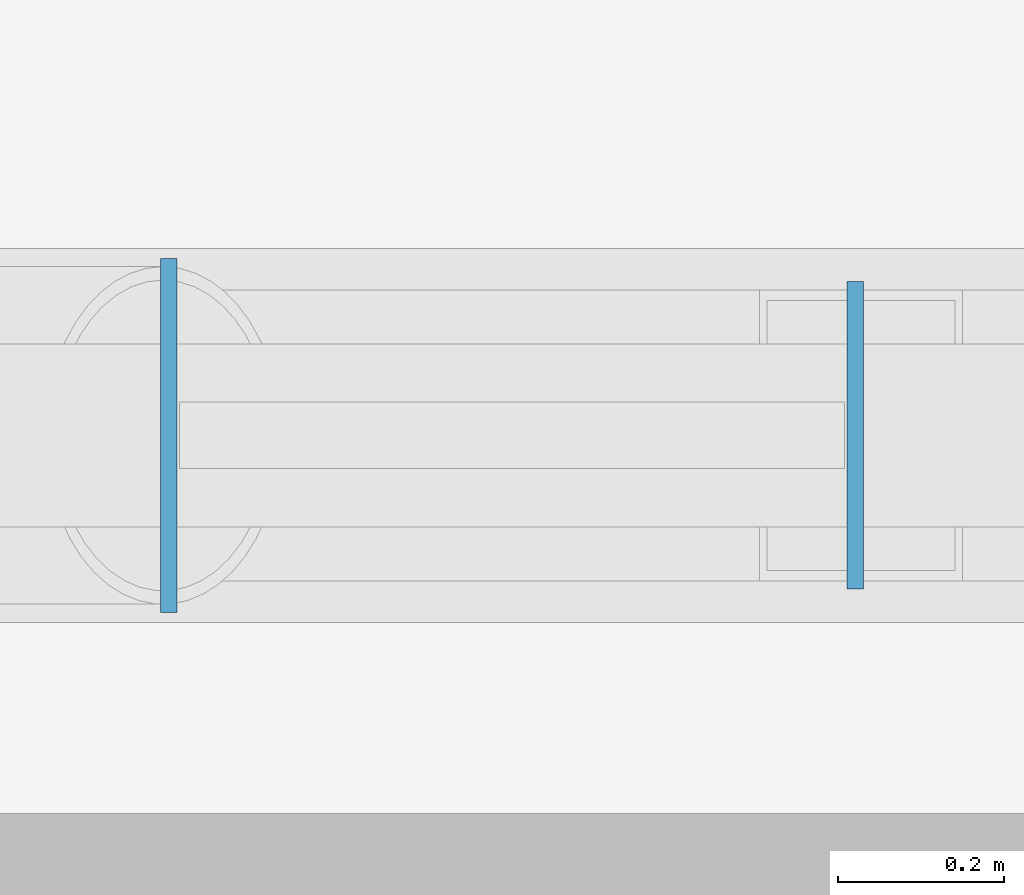
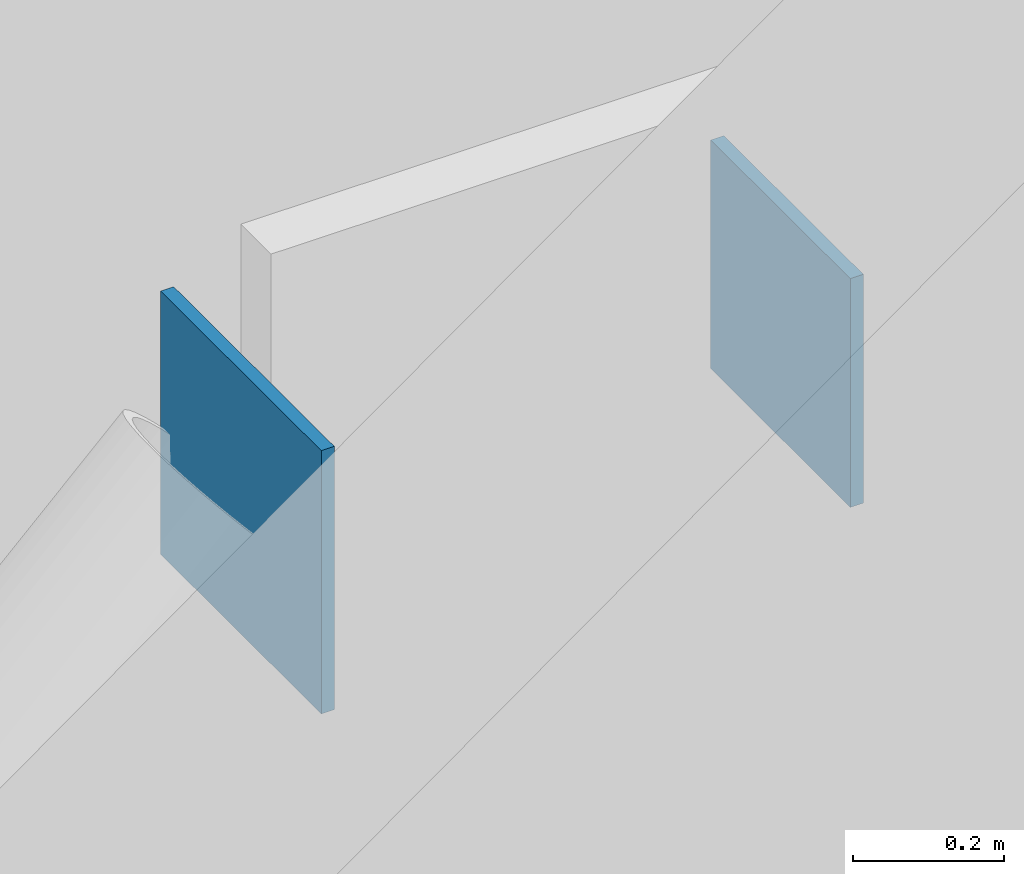
# One storey, part 4 of 12: 2 plates.
"""IFC4 building model written with IfcOpenShell, lengths in metres."""

from ifc_helpers import new_model, si_unit, direction, frame, origin, origin_2d, place, context, subcontext, project, spatial, rectangle, extrude, material, layer, layer_set, type_object, element, save


model = new_model("IFC4")

# Units and contexts
model_context = context("Model", 3, precision=1e-05, world=origin(), true_north=direction((0.0, 1.0)))
body_context = subcontext(model_context, "Body", "Model", "MODEL_VIEW")
ifc_project = project(units=[si_unit("LENGTHUNIT", "METRE"), si_unit("AREAUNIT", "SQUARE_METRE"), si_unit("VOLUMEUNIT", "CUBIC_METRE"), si_unit("PLANEANGLEUNIT", "RADIAN"), si_unit("MASSUNIT", "GRAM", prefix="KILO")], contexts=[model_context])

# Site, building, storey
site_placement = place(None, origin())
site = spatial("IfcSite", under=ifc_project, at=site_placement, CompositionType="ELEMENT")
building_placement = place(site_placement, origin())
building = spatial("IfcBuilding", under=site, at=building_placement, Name="Solanera Arch Residences", CompositionType="ELEMENT")
storey_placement = place(building_placement, frame((0.0, 0.0, 172.47998046875)))
storey = spatial("IfcBuildingStorey", under=building, at=storey_placement, Name="L50", CompositionType="ELEMENT", Elevation=172.47998046875)

# Plates
ifc_material = material(Name="Steel S355 (ASTM A992 / A572 Grade 50)", Category="steel")
ifc_layer = layer(ifc_material, 0.02001953125)
ifc_layer_set = layer_set([ifc_layer], Name="Steel S355 (ASTM A992 / A572 Grade 50)")
plate_type = type_object("IfcPlateType", Name="End Cap Plate EC-20", PredefinedType="USERDEFINED", material=ifc_layer_set)
plate_1_placement = place(storey_placement, frame((32.43701171875, 15.85009765625, 3.02880859375), z_axis=(0.0, 0.0, 1.0), x_axis=(1.0, 0.0, 0.0)))
element("IfcPlate", 1, at=plate_1_placement, inside=storey, type_object=plate_type, Name="Hollow Section End Cap 178", ObjectType="STIFFENER", PredefinedType="USERDEFINED", context=body_context, shape_type="SweptSolid", body=[
    extrude(rectangle(XDim=0.02001953125, YDim=0.426025390625, at=origin_2d()), origin(), (0.0, 0.0, 1.0), 0.426025390625),
])
plate_2_placement = place(storey_placement, frame((33.262939453125, 15.85009765625, 3.056884765625), z_axis=(0.0, 0.0, 1.0), x_axis=(-1.0, 0.0, 0.0)))
element("IfcPlate", 2, at=plate_2_placement, inside=storey, type_object=plate_type, Name="Hollow Section End Cap 180", ObjectType="STIFFENER", PredefinedType="USERDEFINED", context=body_context, shape_type="SweptSolid", body=[
    extrude(rectangle(XDim=0.02001953125, YDim=0.3701171875, at=origin_2d()), origin(), (0.0, 0.0, 1.0), 0.3701171875),
])

save(model, "model.ifc")
